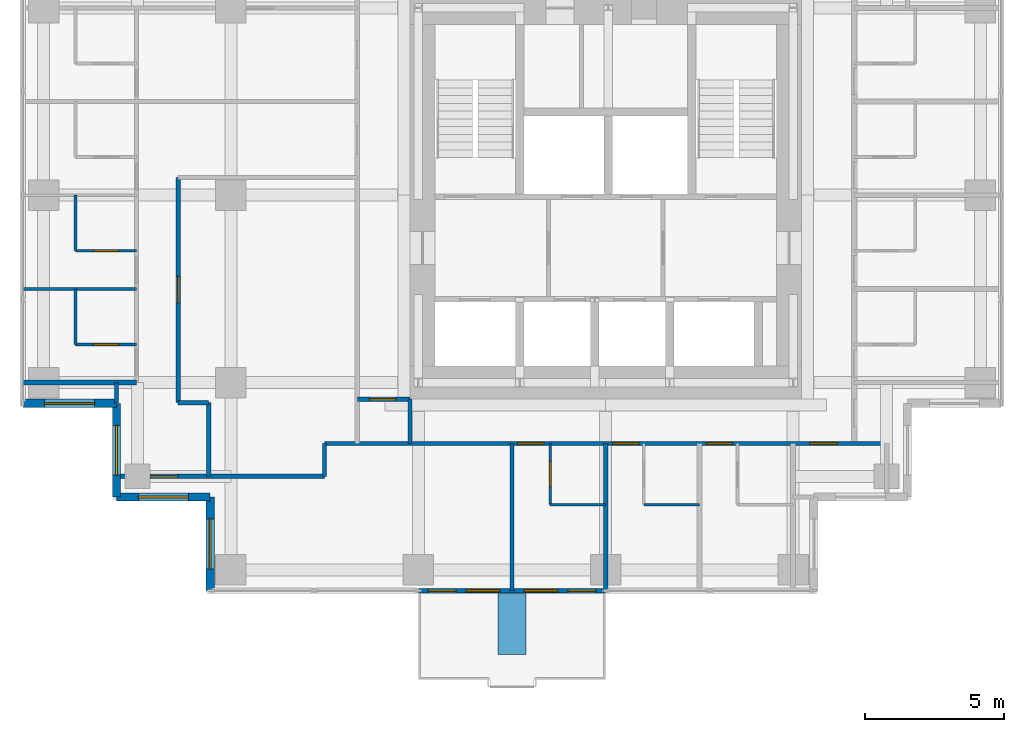
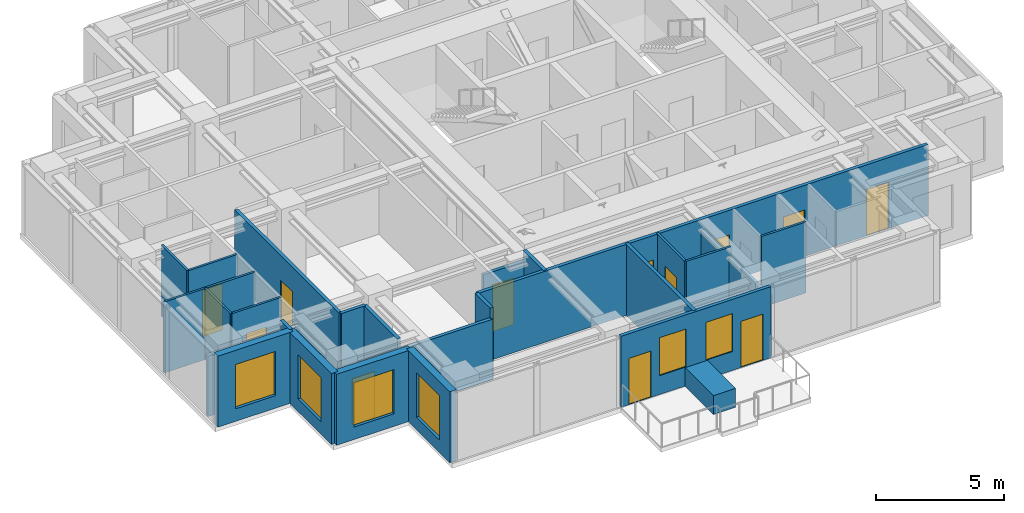
# One storey, part 3 of 8: 26 walls, 12 doors, 6 windows, 18 openings.
"""IFC4 building model written with IfcOpenShell, lengths in metres."""

from ifc_helpers import new_model, si_unit, direction, frame, frame_2d, origin, place, context, subcontext, project, spatial, rectangle, extrude, material, layer, layer_set, type_object, element, fill, save


model = new_model("IFC4")

# Units and contexts
model_context = context("Model", 3, precision=1e-05, world=origin(), true_north=direction((0.0, 1.0)))
body_context = subcontext(model_context, "Body", "Model", "MODEL_VIEW")
ifc_project = project(units=[si_unit("LENGTHUNIT", "METRE"), si_unit("AREAUNIT", "SQUARE_METRE"), si_unit("VOLUMEUNIT", "CUBIC_METRE"), si_unit("PLANEANGLEUNIT", "RADIAN"), si_unit("MASSUNIT", "GRAM", prefix="KILO")], contexts=[model_context])

# Site, building, storey
site_placement = place(None, origin())
site = spatial("IfcSite", under=ifc_project, at=site_placement, CompositionType="ELEMENT")
building_placement = place(site_placement, origin())
building = spatial("IfcBuilding", under=site, at=building_placement, Name="Nyansa Garden Tower", CompositionType="ELEMENT")
storey_placement = place(building_placement, frame((0.0, 0.0, 218.699951171875)))
storey = spatial("IfcBuildingStorey", under=building, at=storey_placement, Name="L59", CompositionType="ELEMENT", Elevation=218.699951171875)

# Walls
ifc_material_1 = material(Name="Dense blockwork, plastered both sides, 55 dB", Category="masonry")
ifc_layer_1 = layer(ifc_material_1, 0.175048828125)
ifc_layer_set_1 = layer_set([ifc_layer_1], Name="Acoustic party wall PW175")
wall_type_1 = type_object("IfcWallType", Name="Acoustic party wall PW175", PredefinedType="PARTITIONING", material=ifc_layer_set_1)
wall_1_placement = place(storey_placement, frame((-0.73388671875, 13.5, 0.0), z_axis=(0.0, 0.0, 1.0), x_axis=(1.0, 0.0, 0.0)))
element("IfcWall", 1, at=wall_1_placement, inside=storey, type_object=wall_type_1, Name="Party wall", PredefinedType="PARTITIONING", context=body_context, shape_type="SweptSolid", body=[
    extrude(rectangle(XDim=4.083984375, YDim=0.175048828125, at=frame_2d((2.0419921875, 0.0))), origin(), (0.0, 0.0, 1.0), 2.876953125),
])
wall_2_placement = place(storey_placement, frame((20.25, 6.01611328125, 0.0), z_axis=(0.0, 0.0, 1.0), x_axis=(0.0, 1.0, 0.0)))
element("IfcWall", 2, at=wall_2_placement, inside=storey, type_object=wall_type_1, Name="Party wall", PredefinedType="PARTITIONING", context=body_context, shape_type="SweptSolid", body=[
    extrude(rectangle(XDim=5.283935546875, YDim=0.175048828125, at=frame_2d((2.64208984375, 0.0))), origin(), (0.0, 0.0, 1.0), 2.876953125),
])

# Wall, openings, doors, windows
ifc_material_2 = material(Name="Black aluminium framed glazed screen", Category="aluminium")
ifc_layer_2 = layer(ifc_material_2, 0.14990234375)
ifc_layer_set_2 = layer_set([ifc_layer_2], Name="Balcony screen wall BW150")
wall_type_2 = type_object("IfcWallType", Name="Balcony screen wall BW150", PredefinedType="SOLIDWALL", material=ifc_layer_set_2)
wall_3_placement = place(storey_placement, frame((20.25, 6.0, 0.0), z_axis=(0.0, 0.0, 1.0), x_axis=(-1.0, 0.0, 0.0)))
wall_3 = element("IfcWall", 3, at=wall_3_placement, inside=storey, type_object=wall_type_2, Name="Glazed screen wall L59 S", PredefinedType="SOLIDWALL", context=body_context, shape_type="SweptSolid", body=[
    extrude(rectangle(XDim=6.75, YDim=0.14990234375, at=frame_2d((3.375, 0.0))), origin(), (0.0, 0.0, 1.0), 3.375),
])
opening_1_placement = place(wall_3_placement, frame((0.362548828125, 0.0, 0.0)))
opening_1 = element("IfcOpeningElement", 4, at=opening_1_placement, cuts=wall_3, Name="Opening D20", PredefinedType="OPENING", context=body_context, shape_type="SweptSolid", body=[
    extrude(rectangle(XDim=1.0, YDim=2.199951171875, at=frame_2d((0.5, 1.10009765625))), frame((0.0, 0.0849609375, 0.0), z_axis=(0.0, -1.0, 0.0), x_axis=(1.0, 0.0, 0.0)), (0.0, 0.0, 1.0), 0.169921875),
])
opening_2_placement = place(wall_3_placement, frame((1.72509765625, 0.0, 0.89990234375)))
opening_2 = element("IfcOpeningElement", 5, at=opening_2_placement, cuts=wall_3, Name="Opening W6", PredefinedType="OPENING", context=body_context, shape_type="SweptSolid", body=[
    extrude(rectangle(XDim=1.199951171875, YDim=1.800048828125, at=frame_2d((0.60009765625, 0.89990234375))), frame((0.0, 0.0849609375, 0.0), z_axis=(0.0, -1.0, 0.0), x_axis=(1.0, 0.0, 0.0)), (0.0, 0.0, 1.0), 0.169921875),
])
opening_3_placement = place(wall_3_placement, frame((5.387451171875, 0.0, 0.0)))
opening_3 = element("IfcOpeningElement", 6, at=opening_3_placement, cuts=wall_3, Name="Opening D20", PredefinedType="OPENING", context=body_context, shape_type="SweptSolid", body=[
    extrude(rectangle(XDim=1.0, YDim=2.199951171875, at=frame_2d((0.5, 1.10009765625))), frame((0.0, 0.0849609375, 0.0), z_axis=(0.0, -1.0, 0.0), x_axis=(1.0, 0.0, 0.0)), (0.0, 0.0, 1.0), 0.169921875),
])
opening_4_placement = place(wall_3_placement, frame((3.824951171875, 0.0, 0.89990234375)))
opening_4 = element("IfcOpeningElement", 7, at=opening_4_placement, cuts=wall_3, Name="Opening W6", PredefinedType="OPENING", context=body_context, shape_type="SweptSolid", body=[
    extrude(rectangle(XDim=1.199951171875, YDim=1.800048828125, at=frame_2d((0.60009765625, 0.89990234375))), frame((0.0, 0.0849609375, 0.0), z_axis=(0.0, -1.0, 0.0), x_axis=(1.0, 0.0, 0.0)), (0.0, 0.0, 1.0), 0.169921875),
])
ifc_material_3 = material(Name="Black aluminium framed glazed door", Category="aluminium")
door_type_1 = type_object("IfcDoorType", Name="Balcony door D20 1000x2200", OperationType="NOTDEFINED", PredefinedType="DOOR", material=ifc_material_3)
door_1_placement = place(opening_1_placement, origin())
door_1 = element("IfcDoor", 8, at=door_1_placement, inside=storey, type_object=door_type_1, Name="Balcony door L59", OperationType="SINGLE_SWING_LEFT", OverallHeight=2.199951171875, OverallWidth=1.0, PredefinedType="DOOR", context=body_context, shape_type="SweptSolid", body=[
    extrude(rectangle(XDim=1.0, YDim=2.199951171875, at=frame_2d((0.5, 1.10009765625))), frame((0.0, 0.02490234375, 0.0), z_axis=(0.0, -1.0, 0.0), x_axis=(1.0, 0.0, 0.0)), (0.0, 0.0, 1.0), 0.050048828125),
])
fill(opening_1, door_1)
door_2_placement = place(opening_3_placement, origin())
door_2 = element("IfcDoor", 9, at=door_2_placement, inside=storey, type_object=door_type_1, Name="Balcony door L59", OperationType="SINGLE_SWING_RIGHT", OverallHeight=2.199951171875, OverallWidth=1.0, PredefinedType="DOOR", context=body_context, shape_type="SweptSolid", body=[
    extrude(rectangle(XDim=1.0, YDim=2.199951171875, at=frame_2d((0.5, 1.10009765625))), frame((0.0, 0.02490234375, 0.0), z_axis=(0.0, -1.0, 0.0), x_axis=(1.0, 0.0, 0.0)), (0.0, 0.0, 1.0), 0.050048828125),
])
fill(opening_3, door_2)
ifc_material_4 = material(Name="Black aluminium frame, dark tinted double glazing", Category="aluminium")
window_type_1 = type_object("IfcWindowType", Name="Balcony window W6 1200x1800", PartitioningType="SINGLE_PANEL", PredefinedType="WINDOW", material=ifc_material_4)
window_1_placement = place(opening_2_placement, origin())
window_1 = element("IfcWindow", 10, at=window_1_placement, inside=storey, type_object=window_type_1, Name="Window L59", OverallHeight=1.800048828125, OverallWidth=1.199951171875, PartitioningType="SINGLE_PANEL", PredefinedType="WINDOW", context=body_context, shape_type="SweptSolid", body=[
    extrude(rectangle(XDim=1.199951171875, YDim=1.800048828125, at=frame_2d((0.60009765625, 0.89990234375))), frame((0.0, 0.030029296875, 0.0), z_axis=(0.0, -1.0, 0.0), x_axis=(1.0, 0.0, 0.0)), (0.0, 0.0, 1.0), 0.06005859375),
])
fill(opening_2, window_1)
window_2_placement = place(opening_4_placement, origin())
window_2 = element("IfcWindow", 11, at=window_2_placement, inside=storey, type_object=window_type_1, Name="Window L59", OverallHeight=1.800048828125, OverallWidth=1.199951171875, PartitioningType="SINGLE_PANEL", PredefinedType="WINDOW", context=body_context, shape_type="SweptSolid", body=[
    extrude(rectangle(XDim=1.199951171875, YDim=1.800048828125, at=frame_2d((0.60009765625, 0.89990234375))), frame((0.0, 0.030029296875, 0.0), z_axis=(0.0, -1.0, 0.0), x_axis=(1.0, 0.0, 0.0)), (0.0, 0.0, 1.0), 0.06005859375),
])
fill(opening_4, window_2)

# Wall
ifc_material_5 = material(Name="Blockwork, plastered both sides", Category="masonry")
ifc_layer_3 = layer(ifc_material_5, 0.14990234375)
ifc_layer_set_3 = layer_set([ifc_layer_3], Name="Partition PW150")
wall_type_3 = type_object("IfcWallType", Name="Partition PW150", PredefinedType="PARTITIONING", material=ifc_layer_set_3)
wall_4_placement = place(storey_placement, frame((2.625, 12.76611328125, 0.0), z_axis=(0.0, 0.0, 1.0), x_axis=(0.0, 1.0, 0.0)))
element("IfcWall", 12, at=wall_4_placement, inside=storey, type_object=wall_type_3, Name="Partition", PredefinedType="PARTITIONING", context=body_context, shape_type="SweptSolid", body=[
    extrude(rectangle(XDim=0.73388671875, YDim=0.14990234375, at=frame_2d((0.366943359375, 0.0))), origin(), (0.0, 0.0, 1.0), 3.375),
])

# Wall, opening, door
wall_5_placement = place(storey_placement, frame((2.77490234375, 10.125, 0.0), z_axis=(0.0, 0.0, 1.0), x_axis=(1.0, 0.0, 0.0)))
wall_5 = element("IfcWall", 13, at=wall_5_placement, inside=storey, type_object=wall_type_3, Name="Partition", PredefinedType="PARTITIONING", context=body_context, shape_type="SweptSolid", body=[
    extrude(rectangle(XDim=7.35009765625, YDim=0.14990234375, at=frame_2d((3.675048828125, 0.0))), origin(), (0.0, 0.0, 1.0), 2.876953125),
])
opening_5_placement = place(wall_5_placement, frame((1.06591796875, 0.0, 0.0)))
opening_5 = element("IfcOpeningElement", 14, at=opening_5_placement, cuts=wall_5, Name="Opening D03", PredefinedType="OPENING", context=body_context, shape_type="SweptSolid", body=[
    extrude(rectangle(XDim=1.0, YDim=2.199951171875, at=frame_2d((0.5, 1.10009765625))), frame((0.0, 0.0849609375, 0.0), z_axis=(0.0, -1.0, 0.0), x_axis=(1.0, 0.0, 0.0)), (0.0, 0.0, 1.0), 0.169921875),
])
ifc_material_6 = material(Name="Timber flush door, 60 minute fire resisting", Category="wood")
door_type_2 = type_object("IfcDoorType", Name="Cluster entrance door D03 1000x2200", OperationType="SINGLE_SWING_LEFT", PredefinedType="DOOR", material=ifc_material_6)
door_3_placement = place(opening_5_placement, origin())
door_3 = element("IfcDoor", 15, at=door_3_placement, inside=storey, type_object=door_type_2, Name="Door L59-017", OperationType="SINGLE_SWING_LEFT", OverallHeight=2.199951171875, OverallWidth=1.0, PredefinedType="DOOR", context=body_context, shape_type="SweptSolid", body=[
    extrude(rectangle(XDim=1.0, YDim=2.199951171875, at=frame_2d((0.5, 1.10009765625))), frame((0.0, 0.02490234375, 0.0), z_axis=(0.0, -1.0, 0.0), x_axis=(1.0, 0.0, 0.0)), (0.0, 0.0, 1.0), 0.050048828125),
])
fill(opening_5, door_3)

wall_6_placement = place(storey_placement, frame((4.85009765625, 12.77490234375, 0.0), z_axis=(0.0, 0.0, 1.0), x_axis=(0.0, 1.0, 0.0)))
wall_6 = element("IfcWall", 16, at=wall_6_placement, inside=storey, type_object=wall_type_3, Name="Partition", PredefinedType="PARTITIONING", context=body_context, shape_type="SweptSolid", body=[
    extrude(rectangle(XDim=8.112548828125, YDim=0.14990234375, at=frame_2d((4.05615234375, 0.0))), origin(), (0.0, 0.0, 1.0), 3.375),
])
opening_6_placement = place(wall_6_placement, frame((3.60009765625, 0.0, 0.0)))
opening_6 = element("IfcOpeningElement", 17, at=opening_6_placement, cuts=wall_6, Name="Opening D01", PredefinedType="OPENING", context=body_context, shape_type="SweptSolid", body=[
    extrude(rectangle(XDim=0.949951171875, YDim=2.199951171875, at=frame_2d((0.47509765625, 1.10009765625))), frame((0.0, 0.0849609375, 0.0), z_axis=(0.0, -1.0, 0.0), x_axis=(1.0, 0.0, 0.0)), (0.0, 0.0, 1.0), 0.169921875),
])
ifc_material_7 = material(Name="Timber flush door, 30 minute fire resisting", Category="wood")
door_type_3 = type_object("IfcDoorType", Name="Bedroom door D01 950x2200", OperationType="SINGLE_SWING_LEFT", PredefinedType="DOOR", material=ifc_material_7)
door_4_placement = place(opening_6_placement, origin())
door_4 = element("IfcDoor", 18, at=door_4_placement, inside=storey, type_object=door_type_3, Name="Door L59-054", OperationType="SINGLE_SWING_LEFT", OverallHeight=2.199951171875, OverallWidth=0.949951171875, PredefinedType="DOOR", context=body_context, shape_type="SweptSolid", body=[
    extrude(rectangle(XDim=0.949951171875, YDim=2.199951171875, at=frame_2d((0.47509765625, 1.10009765625))), frame((0.0, 0.02490234375, 0.0), z_axis=(0.0, -1.0, 0.0), x_axis=(1.0, 0.0, 0.0)), (0.0, 0.0, 1.0), 0.050048828125),
])
fill(opening_6, door_4)

# Walls
wall_7_placement = place(storey_placement, frame((4.85009765625, 12.77490234375, 0.0), z_axis=(0.0, 0.0, 1.0), x_axis=(1.0, 0.0, 0.0)))
element("IfcWall", 19, at=wall_7_placement, inside=storey, type_object=wall_type_3, Name="Partition", PredefinedType="PARTITIONING", context=body_context, shape_type="SweptSolid", body=[
    extrude(rectangle(XDim=1.099853515625, YDim=0.14990234375, at=frame_2d((0.5498046875, 0.0))), origin(), (0.0, 0.0, 1.0), 3.375),
])
wall_8_placement = place(storey_placement, frame((5.949951171875, 10.125, 0.0), z_axis=(0.0, 0.0, 1.0), x_axis=(0.0, 1.0, 0.0)))
element("IfcWall", 20, at=wall_8_placement, inside=storey, type_object=wall_type_3, Name="Partition", PredefinedType="PARTITIONING", context=body_context, shape_type="SweptSolid", body=[
    extrude(rectangle(XDim=2.64990234375, YDim=0.14990234375, at=frame_2d((1.324951171875, 0.0))), origin(), (0.0, 0.0, 1.0), 3.375),
])
wall_9_placement = place(storey_placement, frame((10.125, 10.125, 0.0), z_axis=(0.0, 0.0, 1.0), x_axis=(0.0, 1.0, 0.0)))
element("IfcWall", 21, at=wall_9_placement, inside=storey, type_object=wall_type_3, Name="Partition", PredefinedType="PARTITIONING", context=body_context, shape_type="SweptSolid", body=[
    extrude(rectangle(XDim=1.175048828125, YDim=0.14990234375, at=frame_2d((0.58740234375, 0.0))), origin(), (0.0, 0.0, 1.0), 3.375),
])

# Wall, openings, doors
wall_10_placement = place(storey_placement, frame((10.125, 11.300048828125, 0.0), z_axis=(0.0, 0.0, 1.0), x_axis=(1.0, 0.0, 0.0)))
wall_10 = element("IfcWall", 22, at=wall_10_placement, inside=storey, type_object=wall_type_3, Name="Partition", PredefinedType="PARTITIONING", context=body_context, shape_type="SweptSolid", body=[
    extrude(rectangle(XDim=20.25, YDim=0.14990234375, at=frame_2d((10.125, 0.0))), origin(), (0.0, 0.0, 1.0), 3.375),
])
opening_7_placement = place(wall_10_placement, frame((6.949951171875, 0.0, 0.0)))
opening_7 = element("IfcOpeningElement", 23, at=opening_7_placement, cuts=wall_10, Name="Opening D14", PredefinedType="OPENING", context=body_context, shape_type="SweptSolid", body=[
    extrude(rectangle(XDim=0.949951171875, YDim=2.199951171875, at=frame_2d((0.47509765625, 1.10009765625))), frame((0.0, 0.0849609375, 0.0), z_axis=(0.0, -1.0, 0.0), x_axis=(1.0, 0.0, 0.0)), (0.0, 0.0, 1.0), 0.169921875),
])
opening_8_placement = place(wall_10_placement, frame((10.375, 0.0, 0.0)))
opening_8 = element("IfcOpeningElement", 24, at=opening_8_placement, cuts=wall_10, Name="Opening D14", PredefinedType="OPENING", context=body_context, shape_type="SweptSolid", body=[
    extrude(rectangle(XDim=0.949951171875, YDim=2.199951171875, at=frame_2d((0.47509765625, 1.10009765625))), frame((0.0, 0.0849609375, 0.0), z_axis=(0.0, -1.0, 0.0), x_axis=(1.0, 0.0, 0.0)), (0.0, 0.0, 1.0), 0.169921875),
])
opening_9_placement = place(wall_10_placement, frame((13.75, 0.0, 0.0)))
opening_9 = element("IfcOpeningElement", 25, at=opening_9_placement, cuts=wall_10, Name="Opening D14", PredefinedType="OPENING", context=body_context, shape_type="SweptSolid", body=[
    extrude(rectangle(XDim=0.949951171875, YDim=2.199951171875, at=frame_2d((0.47509765625, 1.10009765625))), frame((0.0, 0.0849609375, 0.0), z_axis=(0.0, -1.0, 0.0), x_axis=(1.0, 0.0, 0.0)), (0.0, 0.0, 1.0), 0.169921875),
])
opening_10_placement = place(wall_10_placement, frame((17.47509765625, 0.0, 0.0)))
opening_10 = element("IfcOpeningElement", 26, at=opening_10_placement, cuts=wall_10, Name="Opening D03", PredefinedType="OPENING", context=body_context, shape_type="SweptSolid", body=[
    extrude(rectangle(XDim=1.0, YDim=2.199951171875, at=frame_2d((0.5, 1.10009765625))), frame((0.0, 0.0849609375, 0.0), z_axis=(0.0, -1.0, 0.0), x_axis=(1.0, 0.0, 0.0)), (0.0, 0.0, 1.0), 0.169921875),
])
door_5_placement = place(opening_10_placement, origin())
door_5 = element("IfcDoor", 27, at=door_5_placement, inside=storey, type_object=door_type_2, Name="Door L59-024", OperationType="SINGLE_SWING_LEFT", OverallHeight=2.199951171875, OverallWidth=1.0, PredefinedType="DOOR", context=body_context, shape_type="SweptSolid", body=[
    extrude(rectangle(XDim=1.0, YDim=2.199951171875, at=frame_2d((0.5, 1.10009765625))), frame((0.0, 0.02490234375, 0.0), z_axis=(0.0, -1.0, 0.0), x_axis=(1.0, 0.0, 0.0)), (0.0, 0.0, 1.0), 0.050048828125),
])
fill(opening_10, door_5)
ifc_material_8 = material(Name="Timber flush door, 60 minute fire resisting, self-closing", Category="wood")
door_type_4 = type_object("IfcDoorType", Name="Studio entrance door D14 950x2200", OperationType="SINGLE_SWING_LEFT", PredefinedType="DOOR", material=ifc_material_8)
door_6_placement = place(opening_7_placement, origin())
door_6 = element("IfcDoor", 28, at=door_6_placement, inside=storey, type_object=door_type_4, Name="Door L59-018", OperationType="SINGLE_SWING_LEFT", OverallHeight=2.199951171875, OverallWidth=0.949951171875, PredefinedType="DOOR", context=body_context, shape_type="SweptSolid", body=[
    extrude(rectangle(XDim=0.949951171875, YDim=2.199951171875, at=frame_2d((0.47509765625, 1.10009765625))), frame((0.0, 0.02490234375, 0.0), z_axis=(0.0, -1.0, 0.0), x_axis=(1.0, 0.0, 0.0)), (0.0, 0.0, 1.0), 0.050048828125),
])
fill(opening_7, door_6)
door_7_placement = place(opening_8_placement, origin())
door_7 = element("IfcDoor", 29, at=door_7_placement, inside=storey, type_object=door_type_4, Name="Door L59-020", OperationType="SINGLE_SWING_LEFT", OverallHeight=2.199951171875, OverallWidth=0.949951171875, PredefinedType="DOOR", context=body_context, shape_type="SweptSolid", body=[
    extrude(rectangle(XDim=0.949951171875, YDim=2.199951171875, at=frame_2d((0.47509765625, 1.10009765625))), frame((0.0, 0.02490234375, 0.0), z_axis=(0.0, -1.0, 0.0), x_axis=(1.0, 0.0, 0.0)), (0.0, 0.0, 1.0), 0.050048828125),
])
fill(opening_8, door_7)
door_8_placement = place(opening_9_placement, origin())
door_8 = element("IfcDoor", 30, at=door_8_placement, inside=storey, type_object=door_type_4, Name="Door L59-022", OperationType="SINGLE_SWING_LEFT", OverallHeight=2.199951171875, OverallWidth=0.949951171875, PredefinedType="DOOR", context=body_context, shape_type="SweptSolid", body=[
    extrude(rectangle(XDim=0.949951171875, YDim=2.199951171875, at=frame_2d((0.47509765625, 1.10009765625))), frame((0.0, 0.02490234375, 0.0), z_axis=(0.0, -1.0, 0.0), x_axis=(1.0, 0.0, 0.0)), (0.0, 0.0, 1.0), 0.050048828125),
])
fill(opening_9, door_8)

# Wall, opening, door
wall_11_placement = place(storey_placement, frame((11.300048828125, 12.89990234375, 0.0), z_axis=(0.0, 0.0, 1.0), x_axis=(1.0, 0.0, 0.0)))
wall_11 = element("IfcWall", 31, at=wall_11_placement, inside=storey, type_object=wall_type_3, Name="Partition", PredefinedType="PARTITIONING", context=body_context, shape_type="SweptSolid", body=[
    extrude(rectangle(XDim=1.89990234375, YDim=0.14990234375, at=frame_2d((0.949951171875, 0.0))), origin(), (0.0, 0.0, 1.0), 2.876953125),
])
opening_11_placement = place(wall_11_placement, frame((0.449951171875, 0.0, 0.0)))
opening_11 = element("IfcOpeningElement", 32, at=opening_11_placement, cuts=wall_11, Name="Opening D01", PredefinedType="OPENING", context=body_context, shape_type="SweptSolid", body=[
    extrude(rectangle(XDim=0.949951171875, YDim=2.199951171875, at=frame_2d((0.47509765625, 1.10009765625))), frame((0.0, 0.0849609375, 0.0), z_axis=(0.0, -1.0, 0.0), x_axis=(1.0, 0.0, 0.0)), (0.0, 0.0, 1.0), 0.169921875),
])
door_9_placement = place(opening_11_placement, origin())
door_9 = element("IfcDoor", 33, at=door_9_placement, inside=storey, type_object=door_type_3, Name="Door L59-016", OperationType="SINGLE_SWING_LEFT", OverallHeight=2.199951171875, OverallWidth=0.949951171875, PredefinedType="DOOR", context=body_context, shape_type="SweptSolid", body=[
    extrude(rectangle(XDim=0.949951171875, YDim=2.199951171875, at=frame_2d((0.47509765625, 1.10009765625))), frame((0.0, 0.02490234375, 0.0), z_axis=(0.0, -1.0, 0.0), x_axis=(1.0, 0.0, 0.0)), (0.0, 0.0, 1.0), 0.050048828125),
])
fill(opening_11, door_9)

# Walls
wall_12_placement = place(storey_placement, frame((13.199951171875, 11.300048828125, 0.0), z_axis=(0.0, 0.0, 1.0), x_axis=(0.0, 1.0, 0.0)))
element("IfcWall", 34, at=wall_12_placement, inside=storey, type_object=wall_type_3, Name="Partition", PredefinedType="PARTITIONING", context=body_context, shape_type="SweptSolid", body=[
    extrude(rectangle(XDim=1.599853515625, YDim=0.14990234375, at=frame_2d((0.7998046875, 0.0))), origin(), (0.0, 0.0, 1.0), 3.375),
])
wall_13_placement = place(storey_placement, frame((16.875, 6.01611328125, 0.0), z_axis=(0.0, 0.0, 1.0), x_axis=(0.0, 1.0, 0.0)))
element("IfcWall", 35, at=wall_13_placement, inside=storey, type_object=wall_type_3, Name="Partition", PredefinedType="PARTITIONING", context=body_context, shape_type="SweptSolid", body=[
    extrude(rectangle(XDim=5.283935546875, YDim=0.14990234375, at=frame_2d((2.64208984375, 0.0))), origin(), (0.0, 0.0, 1.0), 3.375),
])

# Wall, opening, window
ifc_material_9 = material(Name="Turquoise glazed tile on concrete blockwork", Category="masonry")
ifc_layer_4 = layer(ifc_material_9, 0.300048828125)
ifc_layer_set_4 = layer_set([ifc_layer_4], Name="Tiled corner wall TW300")
wall_type_4 = type_object("IfcWallType", Name="Tiled corner wall TW300", PredefinedType="SOLIDWALL", material=ifc_layer_set_4)
wall_14_placement = place(storey_placement, frame((-0.75, 12.75, 0.0), z_axis=(0.0, 0.0, 1.0), x_axis=(1.0, 0.0, 0.0)))
wall_14 = element("IfcWall", 36, at=wall_14_placement, inside=storey, type_object=wall_type_4, Name="Tiled corner wall L59", PredefinedType="SOLIDWALL", context=body_context, shape_type="SweptSolid", body=[
    extrude(rectangle(XDim=3.375, YDim=0.300048828125, at=frame_2d((1.6875, 0.0))), origin(), (0.0, 0.0, 1.0), 3.375),
])
opening_12_placement = place(wall_14_placement, frame((0.78759765625, 0.0, 0.60009765625)))
opening_12 = element("IfcOpeningElement", 37, at=opening_12_placement, cuts=wall_14, Name="Opening W2", PredefinedType="OPENING", context=body_context, shape_type="SweptSolid", body=[
    extrude(rectangle(XDim=1.800048828125, YDim=2.10009765625, at=frame_2d((0.89990234375, 1.050048828125))), frame((0.0, 0.159912109375, 0.0), z_axis=(0.0, -1.0, 0.0), x_axis=(1.0, 0.0, 0.0)), (0.0, 0.0, 1.0), 0.320068359375),
])
ifc_material_10 = material(Name="Black aluminium frame, dark tinted double glazing", Category="aluminium")
window_type_2 = type_object("IfcWindowType", Name="Window W2 1800x2100", PartitioningType="SINGLE_PANEL", PredefinedType="WINDOW", material=ifc_material_10)
window_3_placement = place(opening_12_placement, origin())
window_3 = element("IfcWindow", 38, at=window_3_placement, inside=storey, type_object=window_type_2, Name="Corner window L59", OverallHeight=2.10009765625, OverallWidth=1.800048828125, PartitioningType="SINGLE_PANEL", PredefinedType="WINDOW", context=body_context, shape_type="SweptSolid", body=[
    extrude(rectangle(XDim=1.800048828125, YDim=2.10009765625, at=frame_2d((0.89990234375, 1.050048828125))), frame((0.0, 0.030029296875, 0.0), z_axis=(0.0, -1.0, 0.0), x_axis=(1.0, 0.0, 0.0)), (0.0, 0.0, 1.0), 0.06005859375),
])
fill(opening_12, window_3)

wall_15_placement = place(storey_placement, frame((2.625, 12.75, 0.0), z_axis=(0.0, 0.0, 1.0), x_axis=(0.0, -1.0, 0.0)))
wall_15 = element("IfcWall", 39, at=wall_15_placement, inside=storey, type_object=wall_type_4, Name="Tiled corner wall L59", PredefinedType="SOLIDWALL", context=body_context, shape_type="SweptSolid", body=[
    extrude(rectangle(XDim=3.375, YDim=0.300048828125, at=frame_2d((1.6875, 0.0))), origin(), (0.0, 0.0, 1.0), 3.375),
])
opening_13_placement = place(wall_15_placement, frame((0.78759765625, 0.0, 0.60009765625)))
opening_13 = element("IfcOpeningElement", 40, at=opening_13_placement, cuts=wall_15, Name="Opening W2", PredefinedType="OPENING", context=body_context, shape_type="SweptSolid", body=[
    extrude(rectangle(XDim=1.800048828125, YDim=2.10009765625, at=frame_2d((0.89990234375, 1.050048828125))), frame((0.0, 0.159912109375, 0.0), z_axis=(0.0, -1.0, 0.0), x_axis=(1.0, 0.0, 0.0)), (0.0, 0.0, 1.0), 0.320068359375),
])
window_4_placement = place(opening_13_placement, origin())
window_4 = element("IfcWindow", 41, at=window_4_placement, inside=storey, type_object=window_type_2, Name="Corner window L59", OverallHeight=2.10009765625, OverallWidth=1.800048828125, PartitioningType="SINGLE_PANEL", PredefinedType="WINDOW", context=body_context, shape_type="SweptSolid", body=[
    extrude(rectangle(XDim=1.800048828125, YDim=2.10009765625, at=frame_2d((0.89990234375, 1.050048828125))), frame((0.0, 0.030029296875, 0.0), z_axis=(0.0, -1.0, 0.0), x_axis=(1.0, 0.0, 0.0)), (0.0, 0.0, 1.0), 0.06005859375),
])
fill(opening_13, window_4)

wall_16_placement = place(storey_placement, frame((2.625, 9.375, 0.0), z_axis=(0.0, 0.0, 1.0), x_axis=(1.0, 0.0, 0.0)))
wall_16 = element("IfcWall", 42, at=wall_16_placement, inside=storey, type_object=wall_type_4, Name="Tiled corner wall L59", PredefinedType="SOLIDWALL", context=body_context, shape_type="SweptSolid", body=[
    extrude(rectangle(XDim=3.375, YDim=0.300048828125, at=frame_2d((1.6875, 0.0))), origin(), (0.0, 0.0, 1.0), 3.375),
])
opening_14_placement = place(wall_16_placement, frame((0.78759765625, 0.0, 0.60009765625)))
opening_14 = element("IfcOpeningElement", 43, at=opening_14_placement, cuts=wall_16, Name="Opening W2", PredefinedType="OPENING", context=body_context, shape_type="SweptSolid", body=[
    extrude(rectangle(XDim=1.800048828125, YDim=2.10009765625, at=frame_2d((0.89990234375, 1.050048828125))), frame((0.0, 0.159912109375, 0.0), z_axis=(0.0, -1.0, 0.0), x_axis=(1.0, 0.0, 0.0)), (0.0, 0.0, 1.0), 0.320068359375),
])
window_5_placement = place(opening_14_placement, origin())
window_5 = element("IfcWindow", 44, at=window_5_placement, inside=storey, type_object=window_type_2, Name="Corner window L59", OverallHeight=2.10009765625, OverallWidth=1.800048828125, PartitioningType="SINGLE_PANEL", PredefinedType="WINDOW", context=body_context, shape_type="SweptSolid", body=[
    extrude(rectangle(XDim=1.800048828125, YDim=2.10009765625, at=frame_2d((0.89990234375, 1.050048828125))), frame((0.0, 0.030029296875, 0.0), z_axis=(0.0, -1.0, 0.0), x_axis=(1.0, 0.0, 0.0)), (0.0, 0.0, 1.0), 0.06005859375),
])
fill(opening_14, window_5)

wall_17_placement = place(storey_placement, frame((6.0, 9.375, 0.0), z_axis=(0.0, 0.0, 1.0), x_axis=(0.0, -1.0, 0.0)))
wall_17 = element("IfcWall", 45, at=wall_17_placement, inside=storey, type_object=wall_type_4, Name="Tiled corner wall L59", PredefinedType="SOLIDWALL", context=body_context, shape_type="SweptSolid", body=[
    extrude(rectangle(XDim=3.375, YDim=0.300048828125, at=frame_2d((1.6875, 0.0))), origin(), (0.0, 0.0, 1.0), 3.375),
])
opening_15_placement = place(wall_17_placement, frame((0.78759765625, 0.0, 0.60009765625)))
opening_15 = element("IfcOpeningElement", 46, at=opening_15_placement, cuts=wall_17, Name="Opening W2", PredefinedType="OPENING", context=body_context, shape_type="SweptSolid", body=[
    extrude(rectangle(XDim=1.800048828125, YDim=2.10009765625, at=frame_2d((0.89990234375, 1.050048828125))), frame((0.0, 0.159912109375, 0.0), z_axis=(0.0, -1.0, 0.0), x_axis=(1.0, 0.0, 0.0)), (0.0, 0.0, 1.0), 0.320068359375),
])
window_6_placement = place(opening_15_placement, origin())
window_6 = element("IfcWindow", 47, at=window_6_placement, inside=storey, type_object=window_type_2, Name="Corner window L59", OverallHeight=2.10009765625, OverallWidth=1.800048828125, PartitioningType="SINGLE_PANEL", PredefinedType="WINDOW", context=body_context, shape_type="SweptSolid", body=[
    extrude(rectangle(XDim=1.800048828125, YDim=2.10009765625, at=frame_2d((0.89990234375, 1.050048828125))), frame((0.0, 0.030029296875, 0.0), z_axis=(0.0, -1.0, 0.0), x_axis=(1.0, 0.0, 0.0)), (0.0, 0.0, 1.0), 0.06005859375),
])
fill(opening_15, window_6)

# Walls
ifc_material_11 = material(Name="Concrete C40/50 planter, waterproofed", Category="concrete")
ifc_layer_5 = layer(ifc_material_11, 1.0)
ifc_layer_set_5 = layer_set([ifc_layer_5], Name="Tree planter TP1")
wall_type_5 = type_object("IfcWallType", Name="Tree planter TP1", PredefinedType="USERDEFINED", material=ifc_layer_set_5)
wall_18_placement = place(storey_placement, frame((16.875, 5.89990234375, 0.0), z_axis=(0.0, 0.0, 1.0), x_axis=(0.0, -1.0, 0.0)))
element("IfcWall", 48, at=wall_18_placement, inside=storey, type_object=wall_type_5, Name="Tree planter L59", ObjectType="TREE PLANTER", PredefinedType="USERDEFINED", context=body_context, shape_type="SweptSolid", body=[
    extrude(rectangle(XDim=2.199951171875, YDim=1.0, at=frame_2d((1.10009765625, 0.0))), origin(), (0.0, 0.0, 1.0), 0.900146484375),
])
ifc_material_12 = material(Name="Moisture resistant board on steel studs, tiled", Category="steel")
ifc_layer_6 = layer(ifc_material_12, 0.10009765625)
ifc_layer_set_6 = layer_set([ifc_layer_6], Name="Wet wall PW100")
wall_type_6 = type_object("IfcWallType", Name="Wet wall PW100", PredefinedType="PARTITIONING", material=ifc_layer_set_6)
wall_19_placement = place(storey_placement, frame((-0.73388671875, 16.875, 0.0), z_axis=(0.0, 0.0, 1.0), x_axis=(1.0, 0.0, 0.0)))
element("IfcWall", 49, at=wall_19_placement, inside=storey, type_object=wall_type_6, Name="Wet wall", PredefinedType="PARTITIONING", context=body_context, shape_type="SweptSolid", body=[
    extrude(rectangle(XDim=4.083984375, YDim=0.10009765625, at=frame_2d((2.0419921875, 0.0))), origin(), (0.0, 0.0, 1.0), 3.375),
])
wall_20_placement = place(storey_placement, frame((1.14990234375, 14.875, 0.0), z_axis=(0.0, 0.0, 1.0), x_axis=(0.0, 1.0, 0.0)))
element("IfcWall", 50, at=wall_20_placement, inside=storey, type_object=wall_type_6, Name="Wet wall", PredefinedType="PARTITIONING", context=body_context, shape_type="SweptSolid", body=[
    extrude(rectangle(XDim=2.0, YDim=0.10009765625, at=frame_2d((1.0, 0.0))), origin(), (0.0, 0.0, 1.0), 3.375),
])

# Wall, opening, door
wall_21_placement = place(storey_placement, frame((1.14990234375, 14.875, 0.0), z_axis=(0.0, 0.0, 1.0), x_axis=(1.0, 0.0, 0.0)))
wall_21 = element("IfcWall", 51, at=wall_21_placement, inside=storey, type_object=wall_type_6, Name="Wet wall", PredefinedType="PARTITIONING", context=body_context, shape_type="SweptSolid", body=[
    extrude(rectangle(XDim=2.2001953125, YDim=0.10009765625, at=frame_2d((1.10009765625, 0.0))), origin(), (0.0, 0.0, 1.0), 3.375),
])
opening_16_placement = place(wall_21_placement, frame((0.64990234375, 0.0, 0.0)))
opening_16 = element("IfcOpeningElement", 52, at=opening_16_placement, cuts=wall_21, Name="Opening D02", PredefinedType="OPENING", context=body_context, shape_type="SweptSolid", body=[
    extrude(rectangle(XDim=0.89990234375, YDim=2.199951171875, at=frame_2d((0.449951171875, 1.10009765625))), frame((0.0, 0.06005859375, 0.0), z_axis=(0.0, -1.0, 0.0), x_axis=(1.0, 0.0, 0.0)), (0.0, 0.0, 1.0), 0.1201171875),
])
ifc_material_13 = material(Name="Timber flush door", Category="wood")
door_type_5 = type_object("IfcDoorType", Name="En-suite door D02 900x2200", OperationType="SINGLE_SWING_RIGHT", PredefinedType="DOOR", material=ifc_material_13)
door_10_placement = place(opening_16_placement, origin())
door_10 = element("IfcDoor", 53, at=door_10_placement, inside=storey, type_object=door_type_5, Name="Door L59-048", OperationType="SINGLE_SWING_RIGHT", OverallHeight=2.199951171875, OverallWidth=0.89990234375, PredefinedType="DOOR", context=body_context, shape_type="SweptSolid", body=[
    extrude(rectangle(XDim=0.89990234375, YDim=2.199951171875, at=frame_2d((0.449951171875, 1.10009765625))), frame((0.0, 0.02490234375, 0.0), z_axis=(0.0, -1.0, 0.0), x_axis=(1.0, 0.0, 0.0)), (0.0, 0.0, 1.0), 0.050048828125),
])
fill(opening_16, door_10)

# Wall
wall_22_placement = place(storey_placement, frame((1.14990234375, 18.25, 0.0), z_axis=(0.0, 0.0, 1.0), x_axis=(0.0, 1.0, 0.0)))
element("IfcWall", 54, at=wall_22_placement, inside=storey, type_object=wall_type_6, Name="Wet wall", PredefinedType="PARTITIONING", context=body_context, shape_type="SweptSolid", body=[
    extrude(rectangle(XDim=2.0, YDim=0.10009765625, at=frame_2d((1.0, 0.0))), origin(), (0.0, 0.0, 1.0), 3.375),
])

# Wall, opening, door
wall_23_placement = place(storey_placement, frame((1.14990234375, 18.25, 0.0), z_axis=(0.0, 0.0, 1.0), x_axis=(1.0, 0.0, 0.0)))
wall_23 = element("IfcWall", 55, at=wall_23_placement, inside=storey, type_object=wall_type_6, Name="Wet wall", PredefinedType="PARTITIONING", context=body_context, shape_type="SweptSolid", body=[
    extrude(rectangle(XDim=2.2001953125, YDim=0.10009765625, at=frame_2d((1.10009765625, 0.0))), origin(), (0.0, 0.0, 1.0), 3.375),
])
opening_17_placement = place(wall_23_placement, frame((0.64990234375, 0.0, 0.0)))
opening_17 = element("IfcOpeningElement", 56, at=opening_17_placement, cuts=wall_23, Name="Opening D02", PredefinedType="OPENING", context=body_context, shape_type="SweptSolid", body=[
    extrude(rectangle(XDim=0.89990234375, YDim=2.199951171875, at=frame_2d((0.449951171875, 1.10009765625))), frame((0.0, 0.06005859375, 0.0), z_axis=(0.0, -1.0, 0.0), x_axis=(1.0, 0.0, 0.0)), (0.0, 0.0, 1.0), 0.1201171875),
])
door_11_placement = place(opening_17_placement, origin())
door_11 = element("IfcDoor", 57, at=door_11_placement, inside=storey, type_object=door_type_5, Name="Door L59-050", OperationType="SINGLE_SWING_RIGHT", OverallHeight=2.199951171875, OverallWidth=0.89990234375, PredefinedType="DOOR", context=body_context, shape_type="SweptSolid", body=[
    extrude(rectangle(XDim=0.89990234375, YDim=2.199951171875, at=frame_2d((0.449951171875, 1.10009765625))), frame((0.0, 0.02490234375, 0.0), z_axis=(0.0, -1.0, 0.0), x_axis=(1.0, 0.0, 0.0)), (0.0, 0.0, 1.0), 0.050048828125),
])
fill(opening_17, door_11)

wall_24_placement = place(storey_placement, frame((18.25, 9.10009765625, 0.0), z_axis=(0.0, 0.0, 1.0), x_axis=(0.0, 1.0, 0.0)))
wall_24 = element("IfcWall", 58, at=wall_24_placement, inside=storey, type_object=wall_type_6, Name="Wet wall", PredefinedType="PARTITIONING", context=body_context, shape_type="SweptSolid", body=[
    extrude(rectangle(XDim=2.199951171875, YDim=0.10009765625, at=frame_2d((1.10009765625, 0.0))), origin(), (0.0, 0.0, 1.0), 3.375),
])
opening_18_placement = place(wall_24_placement, frame((0.64990234375, 0.0, 0.0)))
opening_18 = element("IfcOpeningElement", 59, at=opening_18_placement, cuts=wall_24, Name="Opening D02", PredefinedType="OPENING", context=body_context, shape_type="SweptSolid", body=[
    extrude(rectangle(XDim=0.89990234375, YDim=2.199951171875, at=frame_2d((0.449951171875, 1.10009765625))), frame((0.0, 0.06005859375, 0.0), z_axis=(0.0, -1.0, 0.0), x_axis=(1.0, 0.0, 0.0)), (0.0, 0.0, 1.0), 0.1201171875),
])
door_12_placement = place(opening_18_placement, origin())
door_12 = element("IfcDoor", 60, at=door_12_placement, inside=storey, type_object=door_type_5, Name="Door L59-019", OperationType="SINGLE_SWING_RIGHT", OverallHeight=2.199951171875, OverallWidth=0.89990234375, PredefinedType="DOOR", context=body_context, shape_type="SweptSolid", body=[
    extrude(rectangle(XDim=0.89990234375, YDim=2.199951171875, at=frame_2d((0.449951171875, 1.10009765625))), frame((0.0, 0.02490234375, 0.0), z_axis=(0.0, -1.0, 0.0), x_axis=(1.0, 0.0, 0.0)), (0.0, 0.0, 1.0), 0.050048828125),
])
fill(opening_18, door_12)

# Walls
for number, where, z_axis, x_axis, name in (
    (61, (18.25, 9.10009765625, 0.0), (0.0, 0.0, 1.0), (1.0, 0.0, 0.0), "Wet wall"),
    (62, (21.625, 9.10009765625, 0.0), (0.0, 0.0, 1.0), (1.0, 0.0, 0.0), "Wet wall"),
):
    element("IfcWall", number, at=place(storey_placement, frame(where, z_axis=z_axis, x_axis=x_axis)), inside=storey, type_object=wall_type_6, Name=name, PredefinedType="PARTITIONING", context=body_context, shape_type="SweptSolid", body=[
        extrude(rectangle(XDim=2.0, YDim=0.10009765625, at=frame_2d((1.0, 0.0))), origin(), (0.0, 0.0, 1.0), 3.375),
    ])

save(model, "model.ifc")
